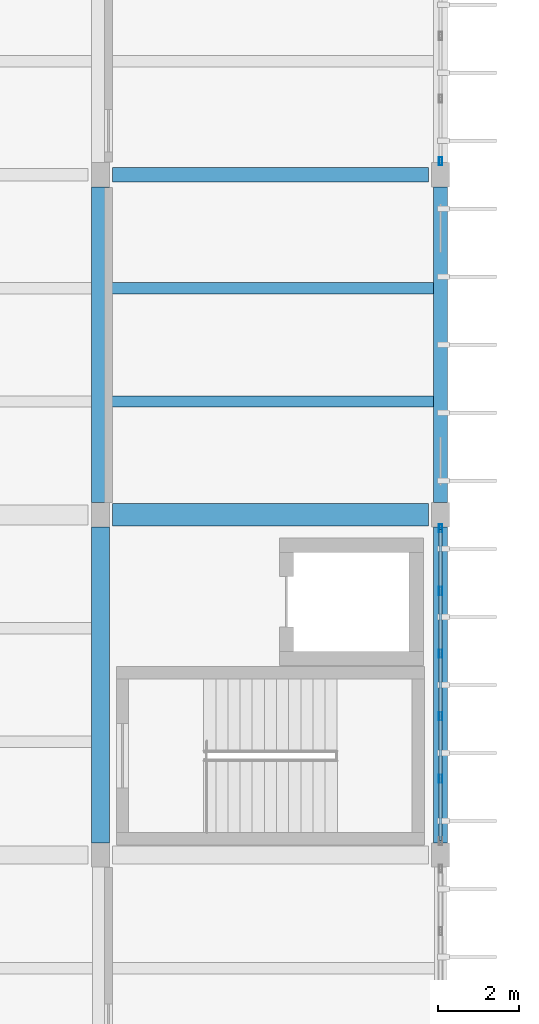
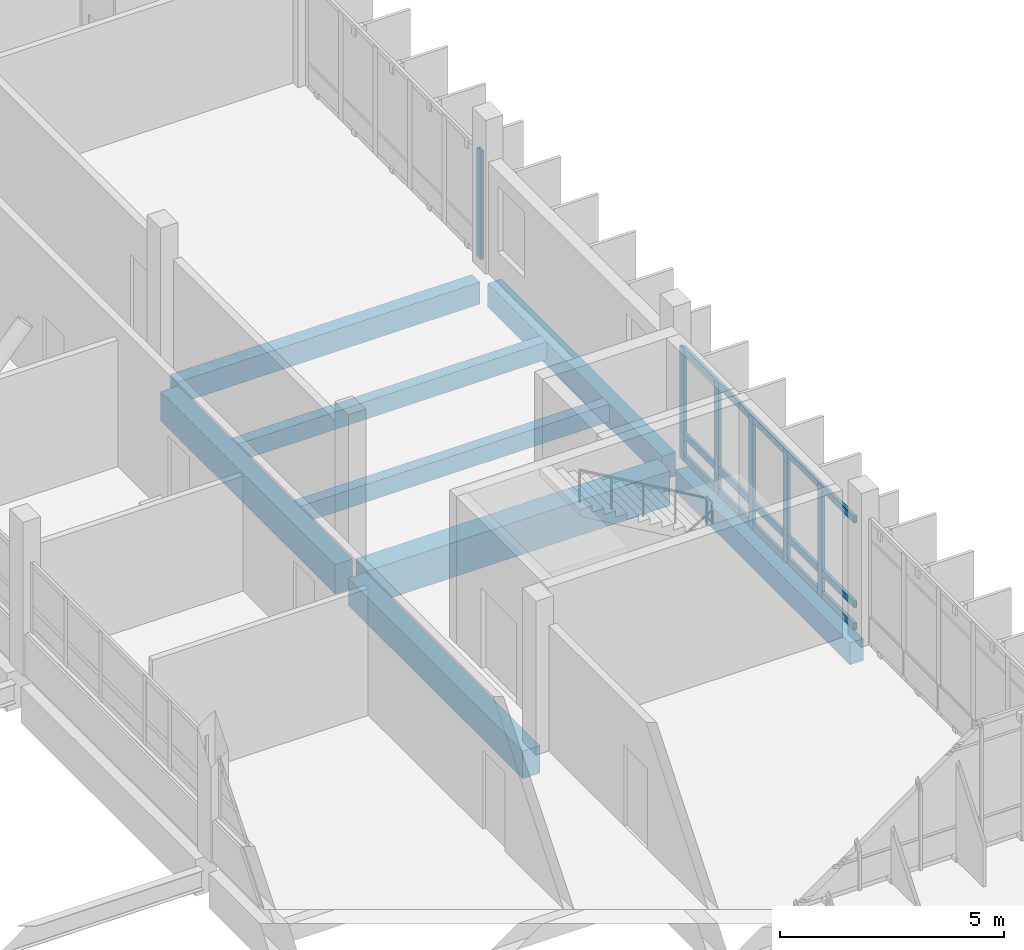
# One storey, part 31 of 107: 9 members, 8 beams, 2 elements without a shape of their own.
"""IFC4 building model written with IfcOpenShell, lengths in metres."""

from ifc_helpers import new_model, si_unit, direction, frame, origin, origin_2d, place, context, subcontext, project, spatial, rectangle, hollow_rectangle, extrude, material, layer, layer_set, material_profile, profile_set, type_object, element, aggregate, save


model = new_model("IFC4")

# Units and contexts
model_context = context("Model", 3, precision=1e-05, world=origin(), true_north=direction((0.0, 1.0)))
body_context = subcontext(model_context, "Body", "Model", "MODEL_VIEW")
ifc_project = project(units=[si_unit("LENGTHUNIT", "METRE"), si_unit("AREAUNIT", "SQUARE_METRE"), si_unit("VOLUMEUNIT", "CUBIC_METRE"), si_unit("PLANEANGLEUNIT", "RADIAN"), si_unit("MASSUNIT", "GRAM", prefix="KILO")], contexts=[model_context])

# Site, building, storey
site_placement = place(None, origin())
site = spatial("IfcSite", under=ifc_project, at=site_placement, CompositionType="ELEMENT")
building_placement = place(site_placement, origin())
building = spatial("IfcBuilding", under=site, at=building_placement, Name="Vireocrest Preparatory School", CompositionType="ELEMENT")
storey_placement = place(building_placement, frame((0.0, 0.0, 13.199951171875)))
storey = spatial("IfcBuildingStorey", under=building, at=storey_placement, Name="L03", CompositionType="ELEMENT", Elevation=13.199951171875)

# Curtain wall, members
ifc_material_1 = material(Name="Thermally broken aluminium EN AW-6063-T6", Category="aluminium")
ifc_layer = layer(ifc_material_1, 0.179931640625)
ifc_layer_set = layer_set([ifc_layer], Name="Thermally broken aluminium EN AW-6063-T6")
curtain_wall_type = type_object("IfcCurtainWallType", Name="Teaching Fin Curtain Wall 8400x4200", PredefinedType="USERDEFINED", material=ifc_layer_set)
curtain_wall_1_placement = place(storey_placement, origin())
curtain_wall_1 = element("IfcCurtainWall", 1, at=curtain_wall_1_placement, inside=storey, type_object=curtain_wall_type, Name="Curtain Wall CW03 CW_L03_CW03_1092_0441_132", ObjectType="CURTAIN WALL", PredefinedType="USERDEFINED")
ifc_material_profile_1 = material_profile(ifc_material_1, hollow_rectangle(XDim=0.074951171875, YDim=0.199951171875, WallThickness=0.0048828125, at=origin_2d()), Name="ALU 75x200x5")
ifc_profile_set_1 = profile_set([ifc_material_profile_1], Name="Thermally broken aluminium EN AW-6063-T6")
member_type_1 = type_object("IfcMemberType", Name="CW Mullion 75x200x5", PredefinedType="MULLION", material=ifc_profile_set_1)
member_1_placement = place(storey_placement, frame((109.199951171875, 45.680908203125, 0.0), z_axis=(0.0, 0.0, 1.0), x_axis=(1.0, 0.0, 0.0)))
member_1 = element("IfcMember", 2, at=member_1_placement, type_object=member_type_1, Name="CW Mullion ML3 CW_L03_CW03_1092_0441_132-2", PredefinedType="MULLION", context=body_context, shape_type="SweptSolid", body=[
    extrude(hollow_rectangle(XDim=0.074951171875, YDim=0.199951171875, WallThickness=0.0048828125, at=origin_2d()), origin(), (0.0, 0.0, 1.0), 3.054931640625),
])
member_2_placement = place(storey_placement, frame((109.199951171875, 47.22705078125, 0.0), z_axis=(0.0, 0.0, 1.0), x_axis=(1.0, 0.0, 0.0)))
member_2 = element("IfcMember", 3, at=member_2_placement, type_object=member_type_1, Name="CW Mullion ML3 CW_L03_CW03_1092_0441_132-3", PredefinedType="MULLION", context=body_context, shape_type="SweptSolid", body=[
    extrude(hollow_rectangle(XDim=0.074951171875, YDim=0.199951171875, WallThickness=0.0048828125, at=origin_2d()), origin(), (0.0, 0.0, 1.0), 3.054931640625),
])
member_3_placement = place(storey_placement, frame((109.199951171875, 48.77294921875, 0.0), z_axis=(0.0, 0.0, 1.0), x_axis=(1.0, 0.0, 0.0)))
member_3 = element("IfcMember", 4, at=member_3_placement, type_object=member_type_1, Name="CW Mullion ML3 CW_L03_CW03_1092_0441_132-4", PredefinedType="MULLION", context=body_context, shape_type="SweptSolid", body=[
    extrude(hollow_rectangle(XDim=0.074951171875, YDim=0.199951171875, WallThickness=0.0048828125, at=origin_2d()), origin(), (0.0, 0.0, 1.0), 3.054931640625),
])
member_4_placement = place(storey_placement, frame((109.199951171875, 50.319091796875, 0.0), z_axis=(0.0, 0.0, 1.0), x_axis=(1.0, 0.0, 0.0)))
member_4 = element("IfcMember", 5, at=member_4_placement, type_object=member_type_1, Name="CW Mullion ML3 CW_L03_CW03_1092_0441_132-5", PredefinedType="MULLION", context=body_context, shape_type="SweptSolid", body=[
    extrude(hollow_rectangle(XDim=0.074951171875, YDim=0.199951171875, WallThickness=0.0048828125, at=origin_2d()), origin(), (0.0, 0.0, 1.0), 3.054931640625),
])
member_5_placement = place(storey_placement, frame((109.199951171875, 51.864990234375, 0.0), z_axis=(0.0, 0.0, 1.0), x_axis=(1.0, 0.0, 0.0)))
member_5 = element("IfcMember", 6, at=member_5_placement, type_object=member_type_1, Name="CW Mullion ML3 CW_L03_CW03_1092_0441_132-6", PredefinedType="MULLION", context=body_context, shape_type="SweptSolid", body=[
    extrude(hollow_rectangle(XDim=0.074951171875, YDim=0.199951171875, WallThickness=0.0048828125, at=origin_2d()), origin(), (0.0, 0.0, 1.0), 3.054931640625),
])

# Curtain wall, member
curtain_wall_2_placement = place(storey_placement, origin())
curtain_wall_2 = element("IfcCurtainWall", 7, at=curtain_wall_2_placement, inside=storey, type_object=curtain_wall_type, Name="Curtain Wall CW03 CW_L03_CW03_1092_0609_132", ObjectType="CURTAIN WALL", PredefinedType="USERDEFINED")
member_6_placement = place(storey_placement, frame((109.199951171875, 60.93505859375, 0.0), z_axis=(0.0, 0.0, 1.0), x_axis=(1.0, 0.0, 0.0)))
member_6 = element("IfcMember", 8, at=member_6_placement, type_object=member_type_1, Name="CW Mullion ML3 CW_L03_CW03_1092_0609_132-1", PredefinedType="MULLION", context=body_context, shape_type="SweptSolid", body=[
    extrude(hollow_rectangle(XDim=0.074951171875, YDim=0.199951171875, WallThickness=0.0048828125, at=origin_2d()), origin(), (0.0, 0.0, 1.0), 2.955078125),
])
aggregate(curtain_wall_2, [member_6])

# Member
ifc_material_profile_2 = material_profile(ifc_material_1, hollow_rectangle(XDim=0.074951171875, YDim=0.18994140625, WallThickness=0.00390625, at=origin_2d()), Name="ALU 75x190x4")
ifc_profile_set_2 = profile_set([ifc_material_profile_2], Name="Thermally broken aluminium EN AW-6063-T6")
member_type_2 = type_object("IfcMemberType", Name="CW Transom 75x190x4", PredefinedType="USERDEFINED", material=ifc_profile_set_2)
member_7_placement = place(storey_placement, frame((109.199951171875, 44.159912109375, 0.094970703125), z_axis=(0.0, 1.0, 0.0), x_axis=(-1.0, 0.0, 0.0)))
member_7 = element("IfcMember", 9, at=member_7_placement, type_object=member_type_2, Name="CW Transom TR3 CW_L03_CW03_1092_0441_132-1", ObjectType="TRANSOM", PredefinedType="USERDEFINED", context=body_context, shape_type="SweptSolid", body=[
    extrude(hollow_rectangle(XDim=0.074951171875, YDim=0.18994140625, WallThickness=0.00390625, at=origin_2d()), origin(), (0.0, 0.0, 1.0), 7.68017578125),
])

member_8_placement = place(storey_placement, frame((109.199951171875, 44.159912109375, 0.699951171875), z_axis=(0.0, 1.0, 0.0), x_axis=(-1.0, 0.0, 0.0)))
member_8 = element("IfcMember", 10, at=member_8_placement, type_object=member_type_2, Name="CW Transom TR3 CW_L03_CW03_1092_0441_132-2", ObjectType="TRANSOM", PredefinedType="USERDEFINED", context=body_context, shape_type="SweptSolid", body=[
    extrude(hollow_rectangle(XDim=0.074951171875, YDim=0.18994140625, WallThickness=0.00390625, at=origin_2d()), origin(), (0.0, 0.0, 1.0), 7.68017578125),
])

member_9_placement = place(storey_placement, frame((109.199951171875, 44.159912109375, 3.01513671875), z_axis=(0.0, 1.0, 0.0), x_axis=(-1.0, 0.0, 0.0)))
member_9 = element("IfcMember", 11, at=member_9_placement, type_object=member_type_2, Name="CW Transom TR3 CW_L03_CW03_1092_0441_132-3", ObjectType="TRANSOM", PredefinedType="USERDEFINED", context=body_context, shape_type="SweptSolid", body=[
    extrude(hollow_rectangle(XDim=0.074951171875, YDim=0.18994140625, WallThickness=0.00390625, at=origin_2d()), origin(), (0.0, 0.0, 1.0), 7.68017578125),
])

aggregate(curtain_wall_1, [member_1, member_2, member_3, member_4, member_5, member_7, member_8, member_9])

# Beams
ifc_material_2 = material(Name="Concrete 40 MPa", Category="concrete")
ifc_material_profile_3 = material_profile(ifc_material_2, rectangle(XDim=0.35009765625, YDim=0.60009765625, at=origin_2d()), Name="RC 350x600")
ifc_profile_set_3 = profile_set([ifc_material_profile_3], Name="Concrete 40 MPa")
beam_type_1 = type_object("IfcBeamType", Name="RC Classroom Girder 350x600", PredefinedType="BEAM", material=ifc_profile_set_3)
for number, where, z_axis, x_axis, name in (
    (12, (101.10009765625, 60.60009765625, -0.56005859375), (1.0, 0.0, 0.0), (0.0, 1.0, 0.0), "Primary Girder B04 L03-1064"),
    (13, (109.199951171875, 44.10009765625, -0.56005859375), (0.0, 1.0, 0.0), (-1.0, 0.0, 0.0), "Primary Girder B04 L03-1167"),
):
    element("IfcBeam", number, at=place(storey_placement, frame(where, z_axis=z_axis, x_axis=x_axis)), inside=storey, type_object=beam_type_1, Name=name, PredefinedType="BEAM", context=body_context, shape_type="SweptSolid", body=[
        extrude(rectangle(XDim=0.35009765625, YDim=0.60009765625, at=origin_2d()), origin(), (0.0, 0.0, 1.0), 7.7998046875),
    ])
ifc_material_profile_4 = material_profile(ifc_material_2, rectangle(XDim=0.35009765625, YDim=0.64990234375, at=origin_2d()), Name="RC 350x650")
ifc_profile_set_4 = profile_set([ifc_material_profile_4], Name="Concrete 40 MPa")
beam_type_2 = type_object("IfcBeamType", Name="RC Classroom Girder 350x650", PredefinedType="BEAM", material=ifc_profile_set_4)
beam_1_placement = place(storey_placement, frame((109.199951171875, 52.5, -0.5849609375), z_axis=(0.0, 1.0, 0.0), x_axis=(-1.0, 0.0, 0.0)))
element("IfcBeam", 14, at=beam_1_placement, inside=storey, type_object=beam_type_2, Name="Primary Girder B05 L03-1168", PredefinedType="BEAM", context=body_context, shape_type="SweptSolid", body=[
    extrude(rectangle(XDim=0.35009765625, YDim=0.64990234375, at=origin_2d()), origin(), (0.0, 0.0, 1.0), 7.800048828125),
])
ifc_material_profile_5 = material_profile(ifc_material_2, rectangle(XDim=0.449951171875, YDim=0.75, at=origin_2d()), Name="RC 450x750")
ifc_profile_set_5 = profile_set([ifc_material_profile_5], Name="Concrete 40 MPa")
beam_type_3 = type_object("IfcBeamType", Name="RC Library Stack Girder 450x750", PredefinedType="BEAM", material=ifc_profile_set_5)
beam_2_placement = place(storey_placement, frame((100.800048828125, 44.10009765625, -0.635009765625), z_axis=(0.0, 1.0, 0.0), x_axis=(-1.0, 0.0, 0.0)))
element("IfcBeam", 15, at=beam_2_placement, inside=storey, type_object=beam_type_3, Name="Primary Girder B11 L03-1156", PredefinedType="BEAM", context=body_context, shape_type="SweptSolid", body=[
    extrude(rectangle(XDim=0.449951171875, YDim=0.75, at=origin_2d()), origin(), (0.0, 0.0, 1.0), 7.7998046875),
])
ifc_material_profile_6 = material_profile(ifc_material_2, rectangle(XDim=0.449951171875, YDim=0.800048828125, at=origin_2d()), Name="RC 450x800")
ifc_profile_set_6 = profile_set([ifc_material_profile_6], Name="Concrete 40 MPa")
beam_type_4 = type_object("IfcBeamType", Name="RC Library Stack Girder 450x800", PredefinedType="BEAM", material=ifc_profile_set_6)
beam_3_placement = place(storey_placement, frame((100.800048828125, 52.5, -0.659912109375), z_axis=(0.0, 1.0, 0.0), x_axis=(-1.0, 0.0, 0.0)))
element("IfcBeam", 16, at=beam_3_placement, inside=storey, type_object=beam_type_4, Name="Primary Girder B12 L03-1157", PredefinedType="BEAM", context=body_context, shape_type="SweptSolid", body=[
    extrude(rectangle(XDim=0.449951171875, YDim=0.800048828125, at=origin_2d()), origin(), (0.0, 0.0, 1.0), 7.800048828125),
])
ifc_material_profile_7 = material_profile(ifc_material_2, rectangle(XDim=0.280029296875, YDim=0.47998046875, at=origin_2d()), Name="RC 280x480")
ifc_profile_set_7 = profile_set([ifc_material_profile_7], Name="Concrete 40 MPa")
beam_type_5 = type_object("IfcBeamType", Name="RC Secondary Lab Joist 280x480", PredefinedType="JOIST", material=ifc_profile_set_7)
for number, where, z_axis, x_axis, name in (
    (17, (101.02490234375, 55.0, -0.5), (1.0, 0.0, 0.0), (0.0, 1.0, 0.0), "Secondary Joist J02 L03-1265"),
    (18, (101.02490234375, 57.800048828125, -0.5), (1.0, 0.0, 0.0), (0.0, 1.0, 0.0), "Secondary Joist J02 L03-1266"),
):
    element("IfcBeam", number, at=place(storey_placement, frame(where, z_axis=z_axis, x_axis=x_axis)), inside=storey, type_object=beam_type_5, Name=name, PredefinedType="JOIST", context=body_context, shape_type="SweptSolid", body=[
        extrude(rectangle(XDim=0.280029296875, YDim=0.47998046875, at=origin_2d()), origin(), (0.0, 0.0, 1.0), 8.0),
    ])
ifc_material_profile_8 = material_profile(ifc_material_2, rectangle(XDim=0.550048828125, YDim=0.949951171875, at=origin_2d()), Name="RC 550x950")
ifc_profile_set_8 = profile_set([ifc_material_profile_8], Name="Concrete 40 MPa")
beam_type_6 = type_object("IfcBeamType", Name="RC Setback Edge Girder 550x950", PredefinedType="BEAM", material=ifc_profile_set_8)
beam_4_placement = place(storey_placement, frame((101.10009765625, 52.199951171875, -0.73486328125), z_axis=(1.0, 0.0, 0.0), x_axis=(0.0, 1.0, 0.0)))
element("IfcBeam", 19, at=beam_4_placement, inside=storey, type_object=beam_type_6, Name="Primary Girder B17 L03-1059", PredefinedType="BEAM", context=body_context, shape_type="SweptSolid", body=[
    extrude(rectangle(XDim=0.550048828125, YDim=0.949951171875, at=origin_2d()), origin(), (0.0, 0.0, 1.0), 7.7998046875),
])

save(model, "model.ifc")
